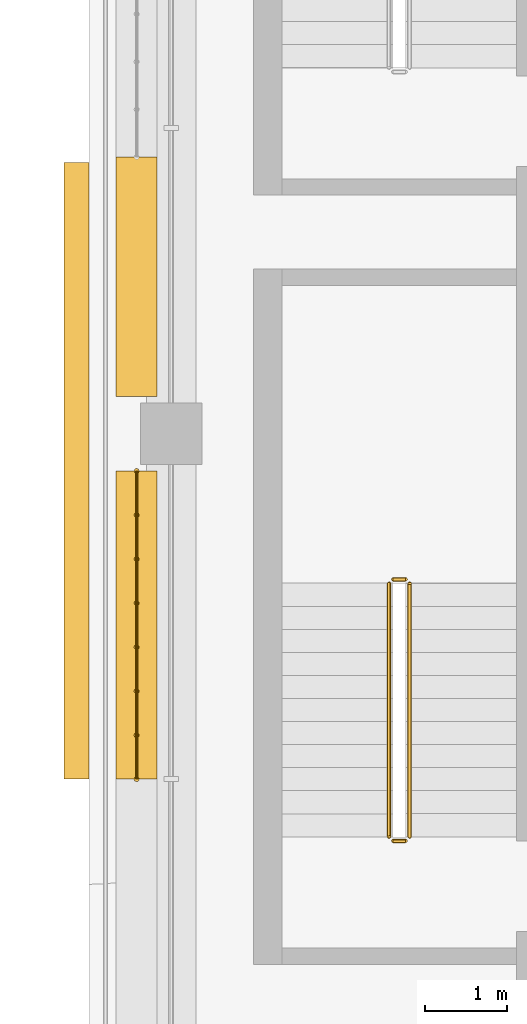
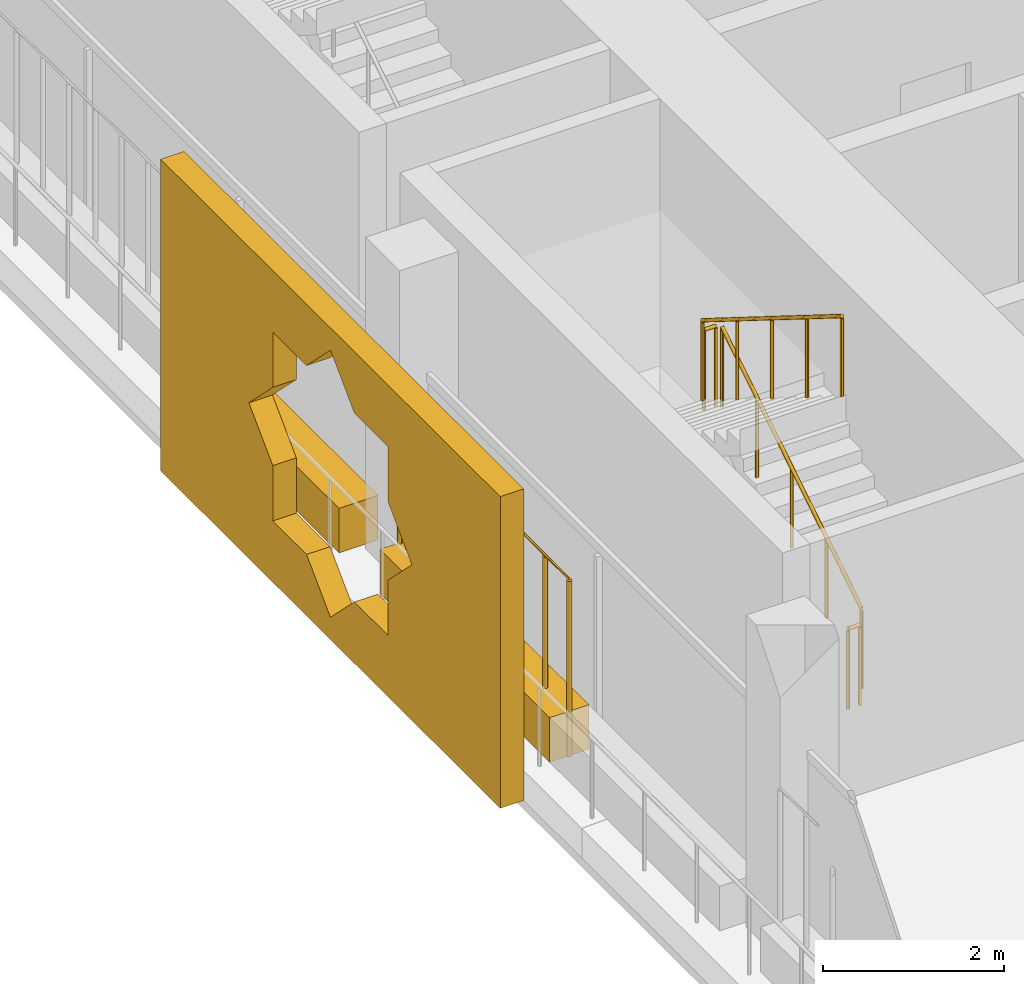
# One storey, part 17 of 21: 5 railings, 3 coverings.
"""IFC4 building model written with IfcOpenShell, lengths in metres."""

from ifc_helpers import new_model, si_unit, direction, frame, origin, origin_2d, place, context, subcontext, project, spatial, polyline, rectangle, circle, outline, extrude, material, material_profile, profile_set, type_object, element, save


model = new_model("IFC4")

# Units and contexts
model_context = context("Model", 3, precision=1e-05, world=origin(), true_north=direction((0.0, 1.0)))
body_context = subcontext(model_context, "Body", "Model", "MODEL_VIEW")
ifc_project = project(units=[si_unit("LENGTHUNIT", "METRE"), si_unit("AREAUNIT", "SQUARE_METRE"), si_unit("VOLUMEUNIT", "CUBIC_METRE"), si_unit("PLANEANGLEUNIT", "RADIAN"), si_unit("MASSUNIT", "GRAM", prefix="KILO")], contexts=[model_context])

# Site, building, storey
site_placement = place(None, origin())
site = spatial("IfcSite", under=ifc_project, at=site_placement, CompositionType="ELEMENT")
building_placement = place(site_placement, origin())
building = spatial("IfcBuilding", under=site, at=building_placement, Name="Kawkab Arch Medical Tower", CompositionType="ELEMENT")
storey_placement = place(building_placement, frame((0.0, 0.0, 323.800048828125)))
storey = spatial("IfcBuildingStorey", under=building, at=storey_placement, Name="L75", CompositionType="ELEMENT", Elevation=323.800048828125)

# Coverings
ifc_material_1 = material(Name="Bronze anodised aluminium mashrabiya panel, eight-point star pattern", Category="aluminium")
ifc_material_profile_1 = material_profile(ifc_material_1, outline(polyline([(-3.75, -2.10009765625), (3.75, -2.10009765625), (3.75, 2.10009765625), (-3.75, 2.10009765625), (-3.75, -2.10009765625)]), holes=[polyline([(1.800048828125, 0.0), (1.272705078125, 0.527099609375), (1.272705078125, 1.272705078125), (0.527099609375, 1.272705078125), (0.0, 1.800048828125), (-0.527099609375, 1.272705078125), (-1.272705078125, 1.272705078125), (-1.272705078125, 0.527099609375), (-1.800048828125, 0.0), (-1.272705078125, -0.527099609375), (-1.272705078125, -1.272705078125), (-0.527099609375, -1.272705078125), (0.0, -1.800048828125), (0.527099609375, -1.272705078125), (1.272705078125, -1.272705078125), (1.272705078125, -0.527099609375), (1.800048828125, 0.0)])]), Name="Mashrabiya panel 7500x4200")
ifc_profile_set_1 = profile_set([ifc_material_profile_1], Name="Bronze anodised aluminium mashrabiya panel, eight-point star pattern")
covering_type_1 = type_object("IfcCoveringType", Name="Mashrabiya panel 7500 x 4200", PredefinedType="USERDEFINED", material=ifc_profile_set_1)
covering_1_placement = place(storey_placement, frame((-1.0, -17.24951171875, 1.699951171875), z_axis=(-1.0, 0.0, 0.0), x_axis=(0.0, -1.0, 0.0)))
element("IfcCovering", 1, at=covering_1_placement, inside=storey, type_object=covering_type_1, Name="Mashrabiya panel L75.LOG-01-01.2", ObjectType="SCREEN", PredefinedType="USERDEFINED", context=body_context, shape_type="SweptSolid", body=[
    extrude(outline(polyline([(-3.75, -2.10009765625), (3.75, -2.10009765625), (3.75, 2.10009765625), (-3.75, 2.10009765625), (-3.75, -2.10009765625)]), holes=[polyline([(1.800048828125, 0.0), (1.272705078125, 0.527099609375), (1.272705078125, 1.272705078125), (0.527099609375, 1.272705078125), (0.0, 1.800048828125), (-0.527099609375, 1.272705078125), (-1.272705078125, 1.272705078125), (-1.272705078125, 0.527099609375), (-1.800048828125, 0.0), (-1.272705078125, -0.527099609375), (-1.272705078125, -1.272705078125), (-0.527099609375, -1.272705078125), (0.0, -1.800048828125), (0.527099609375, -1.272705078125), (1.272705078125, -1.272705078125), (1.272705078125, -0.527099609375), (1.800048828125, 0.0)])]), origin(), (0.0, 0.0, 1.0), 0.300048828125),
])
ifc_material_2 = material(Name="Planting soil in a precast trough", Category="concrete")
ifc_material_profile_2 = material_profile(ifc_material_2, rectangle(XDim=0.5, YDim=0.60009765625, at=origin_2d()), Name="Trough 500x600")
ifc_profile_set_2 = profile_set([ifc_material_profile_2], Name="Planting soil in a precast trough")
covering_type_2 = type_object("IfcCoveringType", Name="Planter trough 500 x 600", PredefinedType="USERDEFINED", material=ifc_profile_set_2)
covering_2_placement = place(storey_placement, frame((-0.419921875, -21.0, 0.300048828125), z_axis=(0.0, 1.0, 0.0), x_axis=(-1.0, 0.0, 0.0)))
element("IfcCovering", 2, at=covering_2_placement, inside=storey, type_object=covering_type_2, Name="Planter L75.LOG-01-01.7", ObjectType="PLANTER", PredefinedType="USERDEFINED", context=body_context, shape_type="SweptSolid", body=[
    extrude(rectangle(XDim=0.5, YDim=0.60009765625, at=origin_2d()), origin(), (0.0, 0.0, 1.0), 3.7470703125),
])
covering_3_placement = place(storey_placement, frame((-0.419921875, -16.346923828125, 0.300048828125), z_axis=(0.0, 1.0, 0.0), x_axis=(-1.0, 0.0, 0.0)))
element("IfcCovering", 3, at=covering_3_placement, inside=storey, type_object=covering_type_2, Name="Planter L75.LOG-01-01.8", ObjectType="PLANTER", PredefinedType="USERDEFINED", context=body_context, shape_type="SweptSolid", body=[
    extrude(rectangle(XDim=0.5, YDim=0.60009765625, at=origin_2d()), origin(), (0.0, 0.0, 1.0), 2.909912109375),
])

# Railings
ifc_material_3 = material(Name="Bronze anodised aluminium trellis for climbing plants", Category="aluminium")
railing_type_1 = type_object("IfcRailingType", Name="Planting trellis 2400", PredefinedType="USERDEFINED", material=ifc_material_3)
railing_1_placement = place(storey_placement, frame((-0.419921875, -21.0, 0.0)))
element("IfcRailing", 4, at=railing_1_placement, inside=storey, type_object=railing_type_1, Name="Planting trellis L75.LOG-01-01.7", ObjectType="TRELLIS", PredefinedType="USERDEFINED", context=body_context, shape_type="SweptSolid", body=[
    extrude(circle(Radius=0.01513671875, at=origin_2d()), frame((0.0, 0.0, 2.384765625), z_axis=(0.0, 1.0, 0.0), x_axis=(-1.0, 0.0, 0.0)), (0.0, 0.0, 1.0), 3.7470703125),
    extrude(circle(Radius=0.030029296875, at=origin_2d()), origin(), (0.0, 0.0, 1.0), 2.369873046875),
    extrude(circle(Radius=0.030029296875, at=origin_2d()), frame((0.0, 0.535400390625, 0.0)), (0.0, 0.0, 1.0), 2.369873046875),
    extrude(circle(Radius=0.030029296875, at=origin_2d()), frame((0.0, 1.070556640625, 0.0)), (0.0, 0.0, 1.0), 2.369873046875),
    extrude(circle(Radius=0.030029296875, at=origin_2d()), frame((0.0, 1.60595703125, 0.0)), (0.0, 0.0, 1.0), 2.369873046875),
    extrude(circle(Radius=0.030029296875, at=origin_2d()), frame((0.0, 2.14111328125, 0.0)), (0.0, 0.0, 1.0), 2.369873046875),
    extrude(circle(Radius=0.030029296875, at=origin_2d()), frame((0.0, 2.676513671875, 0.0)), (0.0, 0.0, 1.0), 2.369873046875),
    extrude(circle(Radius=0.030029296875, at=origin_2d()), frame((0.0, 3.211669921875, 0.0)), (0.0, 0.0, 1.0), 2.369873046875),
    extrude(circle(Radius=0.030029296875, at=origin_2d()), frame((0.0, 3.7470703125, 0.0)), (0.0, 0.0, 1.0), 2.369873046875),
])
ifc_material_4 = material(Name="Stainless steel", Category="steel")
railing_type_2 = type_object("IfcRailingType", Name="Stair guard 1100", PredefinedType="GUARDRAIL", material=ifc_material_4)
railing_2_placement = place(storey_placement, frame((2.89990234375, -21.699951171875, 0.175048828125)))
element("IfcRailing", 5, at=railing_2_placement, inside=storey, type_object=railing_type_2, Name="L75 ST2 stair guard 1", PredefinedType="GUARDRAIL", context=body_context, shape_type="SweptSolid", body=[
    extrude(circle(Radius=0.02392578125, at=origin_2d()), frame((0.0, 0.0, 1.076171875), z_axis=(0.0, 0.848009633417, 0.529980812513), x_axis=(-1.0, 0.0, 0.0)), (0.0, 0.0, 1.0), 3.6318359375),
    extrude(circle(Radius=0.02099609375, at=origin_2d()), origin(), (0.0, 0.0, 1.0), 1.052001953125),
    extrude(circle(Radius=0.02099609375, at=origin_2d()), frame((0.0, 0.77001953125, 0.481201171875)), (0.0, 0.0, 1.0), 1.052001953125),
    extrude(circle(Radius=0.02099609375, at=origin_2d()), frame((0.0, 1.5400390625, 0.96240234375)), (0.0, 0.0, 1.0), 1.052001953125),
    extrude(circle(Radius=0.02099609375, at=origin_2d()), frame((0.0, 2.309814453125, 1.443603515625)), (0.0, 0.0, 1.0), 1.052001953125),
    extrude(circle(Radius=0.02099609375, at=origin_2d()), frame((0.0, 3.079833984375, 1.9248046875)), (0.0, 0.0, 1.0), 1.052001953125),
])
railing_3_placement = place(storey_placement, frame((2.85009765625, -18.570068359375, 2.099853515625)))
element("IfcRailing", 6, at=railing_3_placement, inside=storey, type_object=railing_type_2, Name="L75 ST2 stair guard 2", PredefinedType="GUARDRAIL", context=body_context, shape_type="SweptSolid", body=[
    extrude(circle(Radius=0.02392578125, at=origin_2d()), frame((0.0, 0.0, 1.076171875), z_axis=(-1.0, 0.0, 0.0), x_axis=(0.0, -1.0, 0.0)), (0.0, 0.0, 1.0), 0.150146484375),
    extrude(circle(Radius=0.02099609375, at=origin_2d()), origin(), (0.0, 0.0, 1.0), 1.052001953125),
    extrude(circle(Radius=0.02099609375, at=origin_2d()), frame((-0.150146484375, 0.0, 0.0)), (0.0, 0.0, 1.0), 1.052001953125),
])
railing_4_placement = place(storey_placement, frame((2.64990234375, -18.6201171875, 2.27490234375)))
element("IfcRailing", 7, at=railing_4_placement, inside=storey, type_object=railing_type_2, Name="L75 ST2 stair guard 3", PredefinedType="GUARDRAIL", context=body_context, shape_type="SweptSolid", body=[
    extrude(circle(Radius=0.02392578125, at=origin_2d()), frame((0.0, 0.0, 1.076171875), z_axis=(0.0, -0.847979421464, 0.530029150871), x_axis=(1.0, 0.0, 0.0)), (0.0, 0.0, 1.0), 3.632080078125),
    extrude(circle(Radius=0.02099609375, at=origin_2d()), origin(), (0.0, 0.0, 1.0), 1.052001953125),
    extrude(circle(Radius=0.02099609375, at=origin_2d()), frame((0.0, -0.77001953125, 0.481201171875)), (0.0, 0.0, 1.0), 1.052001953125),
    extrude(circle(Radius=0.02099609375, at=origin_2d()), frame((0.0, -1.5400390625, 0.96240234375)), (0.0, 0.0, 1.0), 1.052001953125),
    extrude(circle(Radius=0.02099609375, at=origin_2d()), frame((0.0, -2.309814453125, 1.44384765625)), (0.0, 0.0, 1.0), 1.052001953125),
    extrude(circle(Radius=0.02099609375, at=origin_2d()), frame((0.0, -3.079833984375, 1.925048828125)), (0.0, 0.0, 1.0), 1.052001953125),
])
railing_5_placement = place(storey_placement, frame((2.85009765625, -21.75, 0.0)))
element("IfcRailing", 8, at=railing_5_placement, inside=storey, type_object=railing_type_2, Name="L75 ST2 stair guard 4", PredefinedType="GUARDRAIL", context=body_context, shape_type="SweptSolid", body=[
    extrude(circle(Radius=0.02392578125, at=origin_2d()), frame((0.0, 0.0, 1.076171875), z_axis=(-1.0, 0.0, 0.0), x_axis=(0.0, -1.0, 0.0)), (0.0, 0.0, 1.0), 0.150146484375),
    extrude(circle(Radius=0.02099609375, at=origin_2d()), origin(), (0.0, 0.0, 1.0), 1.052001953125),
    extrude(circle(Radius=0.02099609375, at=origin_2d()), frame((-0.150146484375, 0.0, 0.0)), (0.0, 0.0, 1.0), 1.052001953125),
])

save(model, "model.ifc")
